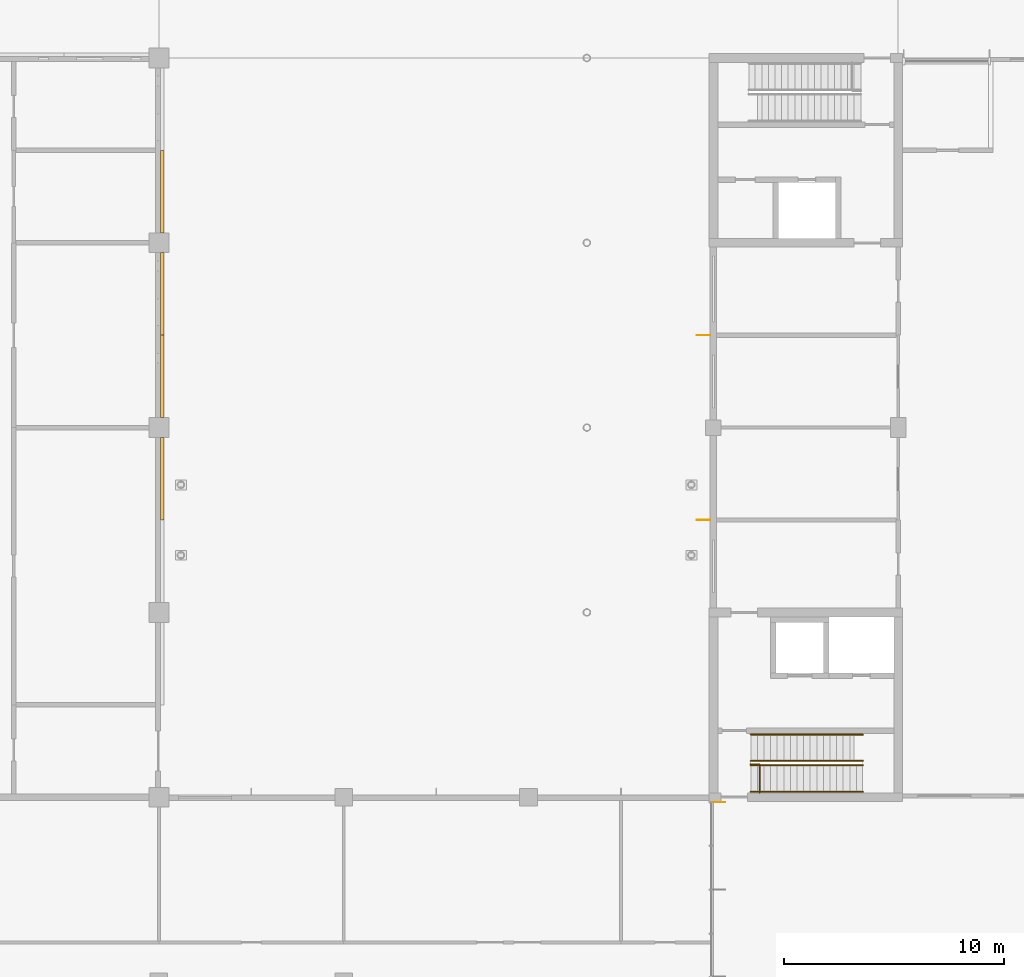
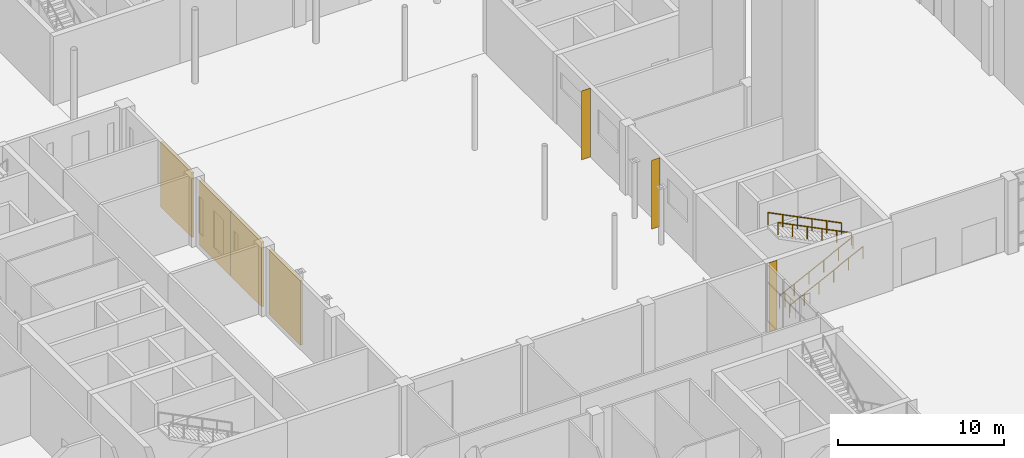
# One storey, part 62 of 76: 7 shading devices, 5 railings.
"""IFC4 building model written with IfcOpenShell, lengths in metres."""

from ifc_helpers import new_model, si_unit, direction, frame, origin, origin_2d, place, context, subcontext, project, spatial, rectangle, circle, extrude, material, layer, layer_set, type_object, element, save


model = new_model("IFC4")

# Units and contexts
model_context = context("Model", 3, precision=1e-05, world=origin(), true_north=direction((0.0, 1.0)))
body_context = subcontext(model_context, "Body", "Model", "MODEL_VIEW")
ifc_project = project(units=[si_unit("LENGTHUNIT", "METRE"), si_unit("AREAUNIT", "SQUARE_METRE"), si_unit("VOLUMEUNIT", "CUBIC_METRE"), si_unit("PLANEANGLEUNIT", "RADIAN"), si_unit("MASSUNIT", "GRAM", prefix="KILO")], contexts=[model_context])

# Site, building, storey
site_placement = place(None, origin())
site = spatial("IfcSite", under=ifc_project, at=site_placement, CompositionType="ELEMENT")
building_placement = place(site_placement, origin())
building = spatial("IfcBuilding", under=site, at=building_placement, Name="Hlaing Beacon Police Headquarters", CompositionType="ELEMENT")
storey_placement = place(building_placement, origin())
storey = spatial("IfcBuildingStorey", under=building, at=storey_placement, Name="L00", CompositionType="ELEMENT", Elevation=0.0)

# Shading devices
ifc_material_1 = material(Name="Aluminium 6063-T5 anodised", Category="aluminium")
ifc_layer_1 = layer(ifc_material_1, 0.011962890625)
ifc_layer_set_1 = layer_set([ifc_layer_1], Name="Aluminium 6063-T5 anodised")
shading_device_type_1 = type_object("IfcShadingDeviceType", Name="Aluminium fin 12x550", PredefinedType="JALOUSIE", material=ifc_layer_set_1)
shading_device_placement = place(storey_placement, frame((59.074951171875, 33.375, 0.0), z_axis=(0.0, 0.0, 1.0), x_axis=(0.0, 1.0, 0.0)))
element("IfcShadingDevice", 1, at=shading_device_placement, inside=storey, type_object=shading_device_type_1, Name="Fin L00 E002.4", PredefinedType="JALOUSIE", context=body_context, shape_type="SweptSolid", body=[
    extrude(rectangle(XDim=0.011962890625, YDim=0.550048828125, at=origin_2d()), origin(), (0.0, 0.0, 1.0), 5.050048828125),
])
ifc_material_2 = material(Name="Aluminium 6063-T5 anodised", Category="aluminium")
ifc_layer_2 = layer(ifc_material_2, 0.011962890625)
ifc_layer_set_2 = layer_set([ifc_layer_2], Name="Aluminium 6063-T5 anodised")
shading_device_type_2 = type_object("IfcShadingDeviceType", Name="Aluminium fin 12x600", PredefinedType="JALOUSIE", material=ifc_layer_set_2)
for number, where, z_axis, x_axis, name in (
    (2, (58.35009765625, 54.60009765625, 0.0), (0.0, 0.0, 1.0), (0.0, -1.0, 0.0), "Fin L00 W006"),
    (3, (58.35009765625, 46.199951171875, 0.0), (0.0, 0.0, 1.0), (0.0, -1.0, 0.0), "Fin L00 W007"),
):
    element("IfcShadingDevice", number, at=place(storey_placement, frame(where, z_axis=z_axis, x_axis=x_axis)), inside=storey, type_object=shading_device_type_2, Name=name, PredefinedType="JALOUSIE", context=body_context, shape_type="SweptSolid", body=[
        extrude(rectangle(XDim=0.011962890625, YDim=0.60009765625, at=origin_2d()), origin(), (0.0, 0.0, 1.0), 5.050048828125),
    ])
ifc_material_3 = material(Name="Perforated aluminium", Category="aluminium")
ifc_layer_3 = layer(ifc_material_3, 0.14990234375)
ifc_layer_set_3 = layer_set([ifc_layer_3], Name="Perforated aluminium")
shading_device_type_3 = type_object("IfcShadingDeviceType", Name="Perforated screen panel 150", PredefinedType="JALOUSIE", material=ifc_layer_set_3)
for number, where, z_axis, x_axis, name in (
    (4, (33.75, 48.074951171875, 0.0), (0.0, 0.0, 1.0), (0.0, 1.0, 0.0), "Screen L00 E003"),
    (5, (33.75, 52.72509765625, 0.0), (0.0, 0.0, 1.0), (0.0, 1.0, 0.0), "Screen L00 E004"),
    (6, (33.75, 56.47509765625, 0.0), (0.0, 0.0, 1.0), (0.0, 1.0, 0.0), "Screen L00 E005"),
    (7, (33.75, 61.125, 0.0), (0.0, 0.0, 1.0), (0.0, 1.0, 0.0), "Screen L00 E006"),
):
    element("IfcShadingDevice", number, at=place(storey_placement, frame(where, z_axis=z_axis, x_axis=x_axis)), inside=storey, type_object=shading_device_type_3, Name=name, PredefinedType="JALOUSIE", context=body_context, shape_type="SweptSolid", body=[
        extrude(rectangle(XDim=3.75, YDim=0.14990234375, at=origin_2d()), origin(), (0.0, 0.0, 1.0), 4.75),
    ])

# Railings
ifc_material_4 = material(Name="Stainless steel", Category="steel")
railing_type_1 = type_object("IfcRailingType", Name="Stair guard 1100", PredefinedType="GUARDRAIL", material=ifc_material_4)
railing_placement = place(storey_placement, frame((60.89990234375, 33.800048828125, 0.0)))
element("IfcRailing", 8, at=railing_placement, inside=storey, type_object=railing_type_1, Name="Guard ST-A", PredefinedType="GUARDRAIL", context=body_context, shape_type="SweptSolid", body=[
    extrude(circle(Radius=0.02392578125, at=origin_2d()), frame((0.0, 0.0, 1.076171875), z_axis=(0.0, 1.0, 0.0), x_axis=(-1.0, 0.0, 0.0)), (0.0, 0.0, 1.0), 1.300048828125),
    extrude(circle(Radius=0.02392578125, at=origin_2d()), frame((0.0, 1.300048828125, 1.076171875), z_axis=(-1.0, 0.0, 0.0), x_axis=(0.0, -1.0, 0.0)), (0.0, 0.0, 1.0), 0.39990234375),
    extrude(circle(Radius=0.02099609375, at=origin_2d()), origin(), (0.0, 0.0, 1.0), 1.052001953125),
    extrude(circle(Radius=0.02099609375, at=origin_2d()), frame((0.0, 0.64990234375, 0.0)), (0.0, 0.0, 1.0), 1.052001953125),
    extrude(circle(Radius=0.02099609375, at=origin_2d()), frame((0.0, 1.300048828125, 0.0)), (0.0, 0.0, 1.0), 1.052001953125),
    extrude(circle(Radius=0.02099609375, at=origin_2d()), frame((-0.39990234375, 1.300048828125, 0.0)), (0.0, 0.0, 1.0), 1.052001953125),
])
ifc_material_5 = material(Name="Stainless steel", Category="steel")
railing_type_2 = type_object("IfcRailingType", Name="Stair handrail 900", PredefinedType="HANDRAIL", material=ifc_material_5)
for number, where, name in (
    (9, (60.5, 33.85009765625, 0.14990234375), "Handrail ST-A"),
    (10, (60.5, 35.050048828125, 0.14990234375), "Handrail ST-A"),
):
    element("IfcRailing", number, at=place(storey_placement, frame(where)), inside=storey, type_object=railing_type_2, Name=name, PredefinedType="HANDRAIL", context=body_context, shape_type="SweptSolid", body=[
        extrude(circle(Radius=0.02392578125, at=origin_2d()), frame((0.0, 0.0, 0.8759765625), z_axis=(0.894427191, 0.0, 0.4472135955), x_axis=(0.0, 1.0, 0.0)), (0.0, 0.0, 1.0), 5.7021484375),
        extrude(circle(Radius=0.02099609375, at=origin_2d()), origin(), (0.0, 0.0, 1.0), 0.851806640625),
        extrude(circle(Radius=0.02099609375, at=origin_2d()), frame((1.02001953125, 0.0, 0.510009765625)), (0.0, 0.0, 1.0), 0.851806640625),
        extrude(circle(Radius=0.02099609375, at=origin_2d()), frame((2.0400390625, 0.0, 1.02001953125)), (0.0, 0.0, 1.0), 0.851806640625),
        extrude(circle(Radius=0.02099609375, at=origin_2d()), frame((3.06005859375, 0.0, 1.530029296875)), (0.0, 0.0, 1.0), 0.851806640625),
        extrude(circle(Radius=0.02099609375, at=origin_2d()), frame((4.080078125, 0.0, 2.0400390625)), (0.0, 0.0, 1.0), 0.851806640625),
        extrude(circle(Radius=0.02099609375, at=origin_2d()), frame((5.10009765625, 0.0, 2.550048828125)), (0.0, 0.0, 1.0), 0.851806640625),
    ])
for number, where, name in (
    (11, (65.60009765625, 35.25, 2.85009765625), "Handrail ST-A"),
    (12, (65.60009765625, 36.449951171875, 2.85009765625), "Handrail ST-A"),
):
    element("IfcRailing", number, at=place(storey_placement, frame(where)), inside=storey, type_object=railing_type_2, Name=name, PredefinedType="HANDRAIL", context=body_context, shape_type="SweptSolid", body=[
        extrude(circle(Radius=0.02392578125, at=origin_2d()), frame((0.0, 0.0, 0.8759765625), z_axis=(-0.89444431709, 0.0, 0.44717934168), x_axis=(0.0, -1.0, 0.0)), (0.0, 0.0, 1.0), 5.701904296875),
        extrude(circle(Radius=0.02099609375, at=origin_2d()), origin(), (0.0, 0.0, 1.0), 0.851806640625),
        extrude(circle(Radius=0.02099609375, at=origin_2d()), frame((-1.02001953125, 0.0, 0.510009765625)), (0.0, 0.0, 1.0), 0.851806640625),
        extrude(circle(Radius=0.02099609375, at=origin_2d()), frame((-2.0400390625, 0.0, 1.02001953125)), (0.0, 0.0, 1.0), 0.851806640625),
        extrude(circle(Radius=0.02099609375, at=origin_2d()), frame((-3.06005859375, 0.0, 1.52978515625)), (0.0, 0.0, 1.0), 0.851806640625),
        extrude(circle(Radius=0.02099609375, at=origin_2d()), frame((-4.080078125, 0.0, 2.039794921875)), (0.0, 0.0, 1.0), 0.851806640625),
        extrude(circle(Radius=0.02099609375, at=origin_2d()), frame((-5.10009765625, 0.0, 2.5498046875)), (0.0, 0.0, 1.0), 0.851806640625),
    ])

save(model, "model.ifc")
